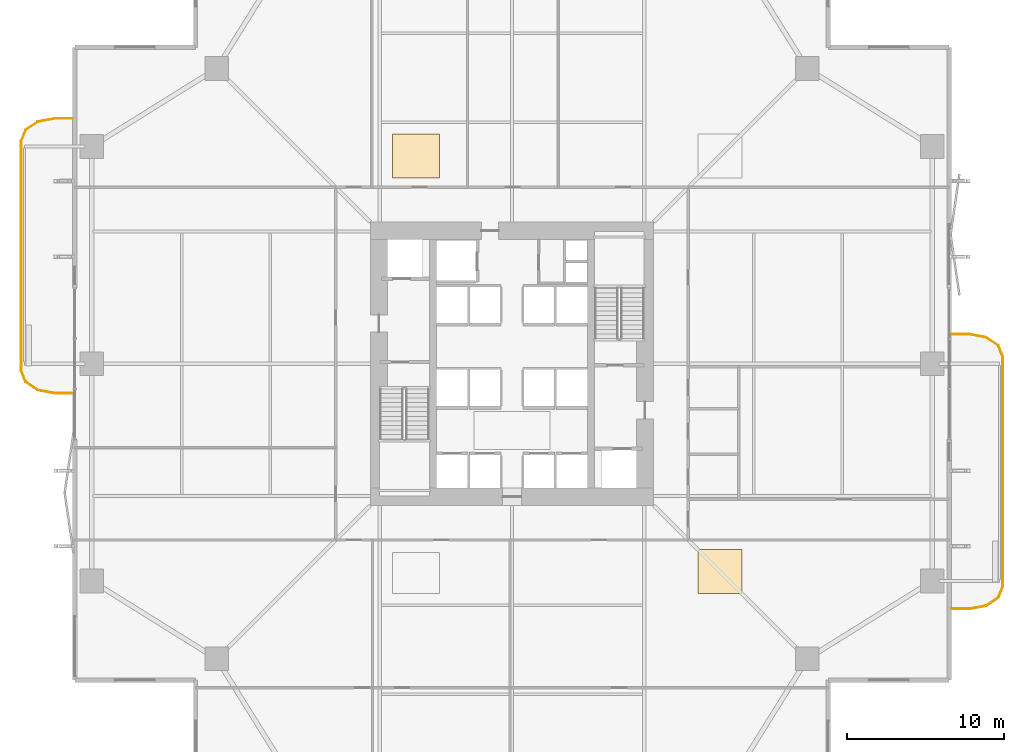
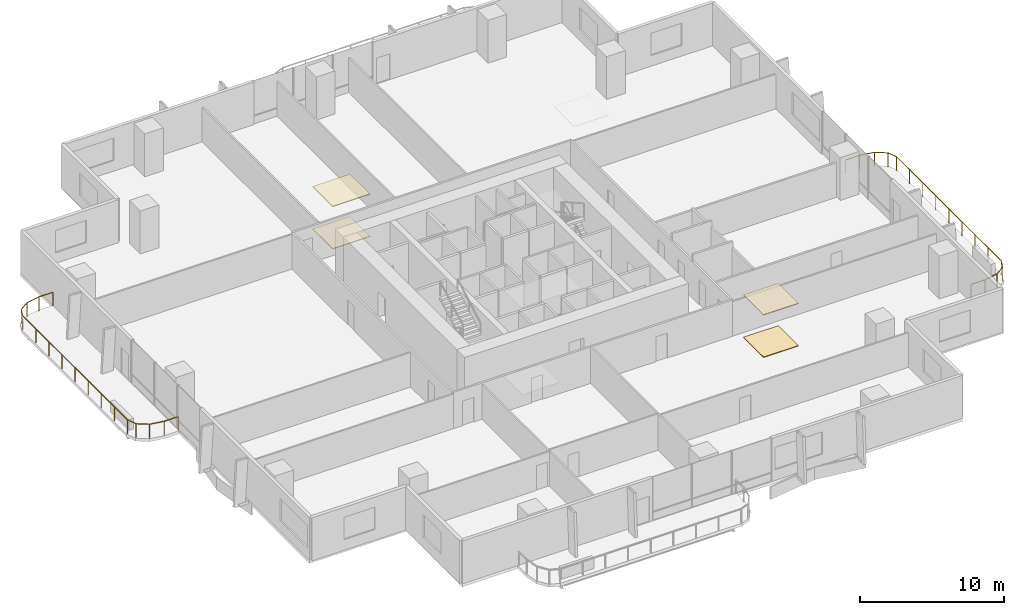
# One storey, part 22 of 23: 4 coverings, 2 railings.
"""IFC4 building model written with IfcOpenShell, lengths in metres."""

import ifcopenshell
import ifcopenshell.guid

model = None  # the IFC model being written
_history = None  # IfcOwnerHistory: only IFC2X3 demands one
_inside = {}  # id of a spatial element -> (the spatial element, [elements in it])
_under = {}  # id of a project, library or spatial element -> (it, [spatial elements below it])
_declared = {}  # id of a project -> (the project, [libraries it declares])
_typed = {}  # id of a type object -> (the type object, [elements of that type])
_made_of = {}  # id of a material, layer set ... -> (it, [elements and type objects made of it])


def new_model(schema):
    """Start an empty IFC model of exactly this schema.

    Asked for "IFC4X3", IfcOpenShell would pick the latest addendum, in which some entities
    have other attributes; the version numbers below select the first issue.
    IFC2X3 requires an IfcOwnerHistory on every rooted entity: one is made here for all.
    """
    global model, _history
    if schema == "IFC4X3":
        model = ifcopenshell.file(schema_version=(4, 3, 0, 0))
    else:
        model = ifcopenshell.file(schema=schema)
    _inside.clear()
    _under.clear()
    _declared.clear()
    _typed.clear()
    _made_of.clear()
    _history = None
    if model.schema == "IFC2X3":
        org = make("IfcOrganization", Name="unknown")
        user = make(
            "IfcPersonAndOrganization",
            ThePerson=make("IfcPerson", FamilyName="unknown"),
            TheOrganization=org,
        )
        app = make(
            "IfcApplication",
            ApplicationDeveloper=org,
            Version="unknown",
            ApplicationFullName="unknown",
            ApplicationIdentifier="unknown",
        )
        _history = make(
            "IfcOwnerHistory",
            OwningUser=user,
            OwningApplication=app,
            ChangeAction="ADDED",
            CreationDate=0,
        )
    return model


def make(cls, **values):
    """One entity of the class cls with the attributes given. An attribute that is None is left unset."""
    return model.create_entity(
        cls, **{name: value for name, value in values.items() if value is not None}
    )


def rooted(cls, **values):
    """An entity with a GlobalId (a new one), such as an element, a storey or a relation."""
    return make(cls, GlobalId=ifcopenshell.guid.new(), OwnerHistory=_history, **values)


def si_unit(unit_type, name, prefix=None):
    """IfcSIUnit, for example si_unit("LENGTHUNIT", "METRE", prefix="MILLI")."""
    return make("IfcSIUnit", UnitType=unit_type, Prefix=prefix, Name=name)


def assignment(units):
    """IfcUnitAssignment: the units of a project."""
    return None if units is None else make("IfcUnitAssignment", Units=units)


def point(xyz):
    """IfcCartesianPoint."""
    return None if xyz is None else make("IfcCartesianPoint", Coordinates=xyz)


def direction(xyz):
    """IfcDirection."""
    return None if xyz is None else make("IfcDirection", DirectionRatios=xyz)


def frame(location, z_axis=None, x_axis=None):
    """IfcAxis2Placement3D, a coordinate frame: its origin and axes. An axis left out is left unset."""
    return make(
        "IfcAxis2Placement3D",
        Location=point(location),
        Axis=direction(z_axis),
        RefDirection=direction(x_axis),
    )


def frame_2d(location, x_axis=None):
    """IfcAxis2Placement2D, a coordinate frame in the plane: its origin and x axis."""
    return make(
        "IfcAxis2Placement2D", Location=point(location), RefDirection=direction(x_axis)
    )


def origin():
    """The frame at (0, 0, 0) with its axes left unset."""
    return frame((0.0, 0.0, 0.0))


def origin_2d():
    """The frame at (0, 0) in the plane with its x axis left unset."""
    return frame_2d((0.0, 0.0))


def place(relative_to, where):
    """IfcLocalPlacement: puts the frame where relative to a parent placement (None: the world)."""
    return make(
        "IfcLocalPlacement", PlacementRelTo=relative_to, RelativePlacement=where
    )


def context(
    kind, dimensions, precision=None, world=None, true_north=None, identifier=None
):
    """IfcGeometricRepresentationContext, for example the 3D "Model" context."""
    return make(
        "IfcGeometricRepresentationContext",
        ContextIdentifier=identifier,
        ContextType=kind,
        CoordinateSpaceDimension=dimensions,
        Precision=precision,
        WorldCoordinateSystem=world,
        TrueNorth=true_north,
    )


def subcontext(parent, identifier, kind, view, scale=None):
    """IfcGeometricRepresentationSubContext, for example "Body" below "Model"."""
    return make(
        "IfcGeometricRepresentationSubContext",
        ContextIdentifier=identifier,
        ContextType=kind,
        ParentContext=parent,
        TargetScale=scale,
        TargetView=view,
    )


def project(units=None, contexts=None):
    """IfcProject with its units and contexts."""
    return rooted(
        "IfcProject",
        Name="project",
        RepresentationContexts=contexts,
        UnitsInContext=assignment(units),
    )


def spatial(cls, under=None, at=None, **own):
    """A site, building, storey or space (cls), placed at a placement, below another one or the project."""
    s = rooted(cls, ObjectPlacement=at, **own)
    if under is not None:
        _under.setdefault(under.id(), (under, []))[1].append(s)
    return s


def polyline(points):
    """IfcPolyline through the points."""
    return make("IfcPolyline", Points=[point(p) for p in points])


def profile(cls, at=None, kind="AREA", **sizes):
    """A parametric profile (cls). Its sizes go by their IFC names, for example OverallWidth=200.0."""
    return make(cls, ProfileType=kind, Position=at, **sizes)


def rectangle(**sizes):
    """IfcRectangleProfileDef."""
    return profile("IfcRectangleProfileDef", **sizes)


def outline(outer, holes=None, kind="AREA"):
    """IfcArbitraryClosedProfileDef: a profile drawn as a closed curve; with holes, ...WithVoids."""
    if holes is None:
        return make("IfcArbitraryClosedProfileDef", ProfileType=kind, OuterCurve=outer)
    return make(
        "IfcArbitraryProfileDefWithVoids",
        ProfileType=kind,
        OuterCurve=outer,
        InnerCurves=holes,
    )


def extrude(swept, where, along, depth):
    """IfcExtrudedAreaSolid: the profile swept, set in the frame where, extruded along a direction by depth."""
    return make(
        "IfcExtrudedAreaSolid",
        SweptArea=swept,
        Position=where,
        ExtrudedDirection=direction(along),
        Depth=depth,
    )


def shape(context_of_items, identifier, shape_type, items):
    """IfcShapeRepresentation: the items that make up one representation, for example the "Body"."""
    return make(
        "IfcShapeRepresentation",
        ContextOfItems=context_of_items,
        RepresentationIdentifier=identifier,
        RepresentationType=shape_type,
        Items=items,
    )


def material(Name=None, Category=None):
    """IfcMaterial."""
    return make("IfcMaterial", Name=Name, Category=Category)


def layer(
    of_material, thickness, ventilated=None, Name=None, Category=None, Priority=None
):
    """IfcMaterialLayer: one layer of a wall or slab, of a material (None: an air gap)."""
    return make(
        "IfcMaterialLayer",
        Material=of_material,
        LayerThickness=thickness,
        IsVentilated=ventilated,
        Name=Name,
        Category=Category,
        Priority=Priority,
    )


def layer_set(layers, Name=None):
    """IfcMaterialLayerSet."""
    return make("IfcMaterialLayerSet", MaterialLayers=layers, LayerSetName=Name)


def made_of(thing, what):
    """Note that an element or type object is made of a material, layer set ...; save() writes the relation."""
    if what is not None:
        _made_of.setdefault(what.id(), (what, []))[1].append(thing)
    return thing


def type_object(cls, material=None, **own):
    """A type object (cls), such as IfcWallType, which elements share."""
    return made_of(rooted(cls, **own), material)


def element(
    cls,
    number,
    at=None,
    inside=None,
    cuts=None,
    type_object=None,
    material=None,
    context=None,
    identifier="Body",
    shape_type=None,
    held_by="IfcProductDefinitionShape",
    body=None,
    shapes=None,
    **own,
):
    """One element of the class cls, such as IfcWall. Its Tag is "e" and its number.

    at: its placement. inside: the storey or other place that contains it. cuts: it is an
    opening in that element (IfcRelVoidsElement). A single representation is given by context,
    identifier, shape_type and body (its items); several are given by shapes. held_by: the class
    of the entity that holds the representations. save() writes the other relations.
    """
    e = rooted(cls, Tag="e%d" % number, ObjectPlacement=at, **own)
    if body is not None:
        shapes = [shape(context, identifier, shape_type, body)]
    if shapes is not None:
        e.Representation = make(held_by, Representations=shapes)
    if inside is not None:
        _inside.setdefault(inside.id(), (inside, []))[1].append(e)
    if cuts is not None:
        rooted(
            "IfcRelVoidsElement", RelatingBuildingElement=cuts, RelatedOpeningElement=e
        )
    if type_object is not None:
        _typed.setdefault(type_object.id(), (type_object, []))[1].append(e)
    return made_of(e, material)


def aggregate(whole, parts):
    """IfcRelAggregates: a whole, such as a stair, and the parts it consists of."""
    return rooted("IfcRelAggregates", RelatingObject=whole, RelatedObjects=parts)


def save(model, path):
    """Write the relations noted so far, then the file.

    IfcRelAggregates (storeys below a building ...), IfcRelContainedInSpatialStructure (elements
    in a storey), IfcRelDefinesByType, IfcRelAssociatesMaterial and IfcRelDeclares: one each for
    every whole, place, type object, material and project.
    """
    for whole, parts in _under.values():
        aggregate(whole, parts)
    for where, things in _inside.values():
        rooted(
            "IfcRelContainedInSpatialStructure",
            RelatedElements=things,
            RelatingStructure=where,
        )
    for kind, things in _typed.values():
        rooted("IfcRelDefinesByType", RelatedObjects=things, RelatingType=kind)
    for what, things in _made_of.values():
        rooted("IfcRelAssociatesMaterial", RelatedObjects=things, RelatingMaterial=what)
    for by, libraries in _declared.values():
        rooted("IfcRelDeclares", RelatingContext=by, RelatedDefinitions=libraries)
    model.write(path)


model = new_model("IFC4")

# Units and contexts
model_context = context("Model", 3, precision=1e-05, world=origin(), true_north=direction((0.0, 1.0)))
body_context = subcontext(model_context, "Body", "Model", "MODEL_VIEW")
ifc_project = project(units=[si_unit("LENGTHUNIT", "METRE"), si_unit("AREAUNIT", "SQUARE_METRE"), si_unit("VOLUMEUNIT", "CUBIC_METRE"), si_unit("PLANEANGLEUNIT", "RADIAN"), si_unit("MASSUNIT", "GRAM", prefix="KILO")], contexts=[model_context])

# Site, building, storey
site_placement = place(None, origin())
site = spatial("IfcSite", under=ifc_project, at=site_placement, CompositionType="ELEMENT")
building_placement = place(site_placement, origin())
building = spatial("IfcBuilding", under=site, at=building_placement, Name="Belovzor Exchange Tower", CompositionType="ELEMENT")
storey_placement = place(building_placement, frame((0.0, 0.0, 88.5)))
storey = spatial("IfcBuildingStorey", under=building, at=storey_placement, Name="L21", CompositionType="ELEMENT", Elevation=88.5)

# Railings
ifc_material_1 = material(Name="Stainless Steel and Laminated Safety Glass", Category="steel")
railing_type = type_object("IfcRailingType", Name="Laminated Glass & Stainless Steel Balcony Balustrade 1200", PredefinedType="BALUSTRADE", material=ifc_material_1)
railing_1_placement = place(storey_placement, frame((56.7099609375, 13.22998046875, 0.0)))
element("IfcRailing", 1, at=railing_1_placement, inside=storey, type_object=railing_type, Name="GR-1 Balcony Balustrade L21 East", PredefinedType="BALUSTRADE", context=body_context, shape_type="SweptSolid", body=[
    extrude(rectangle(XDim=0.048095703125, YDim=0.048095703125, at=origin_2d()), frame((0.0, 0.0, 1.17578125), z_axis=(1.0, 0.0, 0.0), x_axis=(0.0, 1.0, 0.0)), (0.0, 0.0, 1.0), 1.133056640625),
    extrude(rectangle(XDim=0.048095703125, YDim=0.048095703125, at=origin_2d()), frame((1.133056640625, 0.0, 1.17578125), z_axis=(0.983644145941, 0.180122719713, 0.0), x_axis=(-0.180122719713, 0.983644145941, 0.0)), (0.0, 0.0, 1.0), 1.09375),
    extrude(rectangle(XDim=0.048095703125, YDim=0.048095703125, at=origin_2d()), frame((2.208984375, 0.197021484375, 1.17578125), z_axis=(0.826614792125, 0.562768145367, 0.0), x_axis=(-0.562768145367, 0.826614792125, 0.0)), (0.0, 0.0, 1.0), 0.9326171875),
    extrude(rectangle(XDim=0.048095703125, YDim=0.048095703125, at=origin_2d()), frame((2.97998046875, 0.721923828125, 1.17578125), z_axis=(0.365504480807, 0.930809580156, 0.0), x_axis=(-0.930809580156, 0.365504480807, 0.0)), (0.0, 0.0, 1.0), 0.76611328125),
    extrude(rectangle(XDim=0.048095703125, YDim=0.048095703125, at=origin_2d()), frame((3.260009765625, 1.43505859375, 1.17578125), z_axis=(0.0, 1.0, 0.0), x_axis=(-1.0, 0.0, 0.0)), (0.0, 0.0, 1.0), 14.570068359375),
    extrude(rectangle(XDim=0.048095703125, YDim=0.048095703125, at=origin_2d()), frame((3.260009765625, 16.005126953125, 1.17578125), z_axis=(-0.365612923861, 0.930766990125, 0.0), x_axis=(-0.930766990125, -0.365612923861, 0.0)), (0.0, 0.0, 1.0), 0.765869140625),
    extrude(rectangle(XDim=0.048095703125, YDim=0.048095703125, at=origin_2d()), frame((2.97998046875, 16.718017578125, 1.17578125), z_axis=(-0.826614792125, 0.562768145367, 0.0), x_axis=(-0.562768145367, -0.826614792125, 0.0)), (0.0, 0.0, 1.0), 0.9326171875),
    extrude(rectangle(XDim=0.048095703125, YDim=0.048095703125, at=origin_2d()), frame((2.208984375, 17.242919921875, 1.17578125), z_axis=(-0.983644145941, 0.180122719713, 0.0), x_axis=(-0.180122719713, -0.983644145941, 0.0)), (0.0, 0.0, 1.0), 1.09375),
    extrude(rectangle(XDim=0.048095703125, YDim=0.048095703125, at=origin_2d()), frame((1.133056640625, 17.43994140625, 1.17578125), z_axis=(-1.0, 0.0, 0.0), x_axis=(0.0, -1.0, 0.0)), (0.0, 0.0, 1.0), 1.133056640625),
    extrude(rectangle(XDim=0.0419921875, YDim=0.0419921875, at=origin_2d()), origin(), (0.0, 0.0, 1.0), 1.15185546875),
    extrude(rectangle(XDim=0.0419921875, YDim=0.0419921875, at=origin_2d()), frame((1.133056640625, 0.0, 0.0)), (0.0, 0.0, 1.0), 1.15185546875),
    extrude(rectangle(XDim=0.0419921875, YDim=0.0419921875, at=origin_2d()), frame((2.208984375, 0.197021484375, 0.0)), (0.0, 0.0, 1.0), 1.15185546875),
    extrude(rectangle(XDim=0.0419921875, YDim=0.0419921875, at=origin_2d()), frame((2.97998046875, 0.721923828125, 0.0)), (0.0, 0.0, 1.0), 1.15185546875),
    extrude(rectangle(XDim=0.0419921875, YDim=0.0419921875, at=origin_2d()), frame((3.260009765625, 1.43505859375, 0.0)), (0.0, 0.0, 1.0), 1.15185546875),
    extrude(rectangle(XDim=0.0419921875, YDim=0.0419921875, at=origin_2d()), frame((3.260009765625, 3.25634765625, 0.0)), (0.0, 0.0, 1.0), 1.15185546875),
    extrude(rectangle(XDim=0.0419921875, YDim=0.0419921875, at=origin_2d()), frame((3.260009765625, 5.07763671875, 0.0)), (0.0, 0.0, 1.0), 1.15185546875),
    extrude(rectangle(XDim=0.0419921875, YDim=0.0419921875, at=origin_2d()), frame((3.260009765625, 6.89892578125, 0.0)), (0.0, 0.0, 1.0), 1.15185546875),
    extrude(rectangle(XDim=0.0419921875, YDim=0.0419921875, at=origin_2d()), frame((3.260009765625, 8.72021484375, 0.0)), (0.0, 0.0, 1.0), 1.15185546875),
    extrude(rectangle(XDim=0.0419921875, YDim=0.0419921875, at=origin_2d()), frame((3.260009765625, 10.541259765625, 0.0)), (0.0, 0.0, 1.0), 1.15185546875),
    extrude(rectangle(XDim=0.0419921875, YDim=0.0419921875, at=origin_2d()), frame((3.260009765625, 12.362548828125, 0.0)), (0.0, 0.0, 1.0), 1.15185546875),
    extrude(rectangle(XDim=0.0419921875, YDim=0.0419921875, at=origin_2d()), frame((3.260009765625, 14.183837890625, 0.0)), (0.0, 0.0, 1.0), 1.15185546875),
    extrude(rectangle(XDim=0.0419921875, YDim=0.0419921875, at=origin_2d()), frame((3.260009765625, 16.005126953125, 0.0)), (0.0, 0.0, 1.0), 1.15185546875),
    extrude(rectangle(XDim=0.0419921875, YDim=0.0419921875, at=origin_2d()), frame((2.97998046875, 16.718017578125, 0.0)), (0.0, 0.0, 1.0), 1.15185546875),
    extrude(rectangle(XDim=0.0419921875, YDim=0.0419921875, at=origin_2d()), frame((2.208984375, 17.242919921875, 0.0)), (0.0, 0.0, 1.0), 1.15185546875),
    extrude(rectangle(XDim=0.0419921875, YDim=0.0419921875, at=origin_2d()), frame((1.133056640625, 17.43994140625, 0.0)), (0.0, 0.0, 1.0), 1.15185546875),
    extrude(rectangle(XDim=0.0419921875, YDim=0.0419921875, at=origin_2d()), frame((0.0, 17.43994140625, 0.0)), (0.0, 0.0, 1.0), 1.15185546875),
])
railing_2_placement = place(storey_placement, frame((0.889892578125, 44.3701171875, 0.0)))
element("IfcRailing", 2, at=railing_2_placement, inside=storey, type_object=railing_type, Name="GR-1 Balcony Balustrade L21 West", PredefinedType="BALUSTRADE", context=body_context, shape_type="SweptSolid", body=[
    extrude(rectangle(XDim=0.048095703125, YDim=0.048095703125, at=origin_2d()), frame((0.0, 0.0, 1.17578125), z_axis=(-1.0, 0.0, 0.0), x_axis=(0.0, -1.0, 0.0)), (0.0, 0.0, 1.0), 1.1328125),
    extrude(rectangle(XDim=0.048095703125, YDim=0.048095703125, at=origin_2d()), frame((-1.1328125, 0.0, 1.17578125), z_axis=(-0.983651385113, -0.180083182347, 0.0), x_axis=(0.180083182347, -0.983651385113, 0.0)), (0.0, 0.0, 1.0), 1.093994140625),
    extrude(rectangle(XDim=0.048095703125, YDim=0.048095703125, at=origin_2d()), frame((-2.208984375, -0.197021484375, 1.17578125), z_axis=(-0.826493025367, -0.56294695933, 0.0), x_axis=(0.56294695933, -0.826493025367, 0.0)), (0.0, 0.0, 1.0), 0.932861328125),
    extrude(rectangle(XDim=0.048095703125, YDim=0.048095703125, at=origin_2d()), frame((-2.97998046875, -0.72216796875, 1.17578125), z_axis=(-0.365612923861, -0.930766990125, 0.0), x_axis=(0.930766990125, -0.365612923861, 0.0)), (0.0, 0.0, 1.0), 0.765869140625),
    extrude(rectangle(XDim=0.048095703125, YDim=0.048095703125, at=origin_2d()), frame((-3.260009765625, -1.43505859375, 1.17578125), z_axis=(0.0, -1.0, 0.0), x_axis=(1.0, 0.0, 0.0)), (0.0, 0.0, 1.0), 14.570068359375),
    extrude(rectangle(XDim=0.048095703125, YDim=0.048095703125, at=origin_2d()), frame((-3.260009765625, -16.005126953125, 1.17578125), z_axis=(0.365612923861, -0.930766990125, 0.0), x_axis=(0.930766990125, 0.365612923861, 0.0)), (0.0, 0.0, 1.0), 0.765869140625),
    extrude(rectangle(XDim=0.048095703125, YDim=0.048095703125, at=origin_2d()), frame((-2.97998046875, -16.718017578125, 1.17578125), z_axis=(0.826493025367, -0.56294695933, 0.0), x_axis=(0.56294695933, 0.826493025367, 0.0)), (0.0, 0.0, 1.0), 0.932861328125),
    extrude(rectangle(XDim=0.048095703125, YDim=0.048095703125, at=origin_2d()), frame((-2.208984375, -17.2431640625, 1.17578125), z_axis=(0.983651385113, -0.180083182347, 0.0), x_axis=(0.180083182347, 0.983651385113, 0.0)), (0.0, 0.0, 1.0), 1.093994140625),
    extrude(rectangle(XDim=0.048095703125, YDim=0.048095703125, at=origin_2d()), frame((-1.1328125, -17.440185546875, 1.17578125), z_axis=(1.0, 0.0, 0.0), x_axis=(0.0, 1.0, 0.0)), (0.0, 0.0, 1.0), 1.1328125),
    extrude(rectangle(XDim=0.0419921875, YDim=0.0419921875, at=origin_2d()), origin(), (0.0, 0.0, 1.0), 1.15185546875),
    extrude(rectangle(XDim=0.0419921875, YDim=0.0419921875, at=origin_2d()), frame((-1.1328125, 0.0, 0.0)), (0.0, 0.0, 1.0), 1.15185546875),
    extrude(rectangle(XDim=0.0419921875, YDim=0.0419921875, at=origin_2d()), frame((-2.208984375, -0.197021484375, 0.0)), (0.0, 0.0, 1.0), 1.15185546875),
    extrude(rectangle(XDim=0.0419921875, YDim=0.0419921875, at=origin_2d()), frame((-2.97998046875, -0.72216796875, 0.0)), (0.0, 0.0, 1.0), 1.15185546875),
    extrude(rectangle(XDim=0.0419921875, YDim=0.0419921875, at=origin_2d()), frame((-3.260009765625, -1.43505859375, 0.0)), (0.0, 0.0, 1.0), 1.15185546875),
    extrude(rectangle(XDim=0.0419921875, YDim=0.0419921875, at=origin_2d()), frame((-3.260009765625, -3.25634765625, 0.0)), (0.0, 0.0, 1.0), 1.15185546875),
    extrude(rectangle(XDim=0.0419921875, YDim=0.0419921875, at=origin_2d()), frame((-3.260009765625, -5.07763671875, 0.0)), (0.0, 0.0, 1.0), 1.15185546875),
    extrude(rectangle(XDim=0.0419921875, YDim=0.0419921875, at=origin_2d()), frame((-3.260009765625, -6.89892578125, 0.0)), (0.0, 0.0, 1.0), 1.15185546875),
    extrude(rectangle(XDim=0.0419921875, YDim=0.0419921875, at=origin_2d()), frame((-3.260009765625, -8.72021484375, 0.0)), (0.0, 0.0, 1.0), 1.15185546875),
    extrude(rectangle(XDim=0.0419921875, YDim=0.0419921875, at=origin_2d()), frame((-3.260009765625, -10.541259765625, 0.0)), (0.0, 0.0, 1.0), 1.15185546875),
    extrude(rectangle(XDim=0.0419921875, YDim=0.0419921875, at=origin_2d()), frame((-3.260009765625, -12.362548828125, 0.0)), (0.0, 0.0, 1.0), 1.15185546875),
    extrude(rectangle(XDim=0.0419921875, YDim=0.0419921875, at=origin_2d()), frame((-3.260009765625, -14.183837890625, 0.0)), (0.0, 0.0, 1.0), 1.15185546875),
    extrude(rectangle(XDim=0.0419921875, YDim=0.0419921875, at=origin_2d()), frame((-3.260009765625, -16.005126953125, 0.0)), (0.0, 0.0, 1.0), 1.15185546875),
    extrude(rectangle(XDim=0.0419921875, YDim=0.0419921875, at=origin_2d()), frame((-2.97998046875, -16.718017578125, 0.0)), (0.0, 0.0, 1.0), 1.15185546875),
    extrude(rectangle(XDim=0.0419921875, YDim=0.0419921875, at=origin_2d()), frame((-2.208984375, -17.2431640625, 0.0)), (0.0, 0.0, 1.0), 1.15185546875),
    extrude(rectangle(XDim=0.0419921875, YDim=0.0419921875, at=origin_2d()), frame((-1.1328125, -17.440185546875, 0.0)), (0.0, 0.0, 1.0), 1.15185546875),
    extrude(rectangle(XDim=0.0419921875, YDim=0.0419921875, at=origin_2d()), frame((0.0, -17.440185546875, 0.0)), (0.0, 0.0, 1.0), 1.15185546875),
])

# Coverings
ifc_material_2 = material(Name="Perforated Powder-Coated Aluminium", Category="aluminium")
ifc_layer_1 = layer(ifc_material_2, 0.06005859375)
ifc_layer_set_1 = layer_set([ifc_layer_1], Name="Perforated Powder-Coated Aluminium")
covering_type_1 = type_object("IfcCoveringType", Name="Perforated Acoustic Metal Tile Suspended Ceiling 60", PredefinedType="CEILING", material=ifc_layer_set_1)
covering_1_placement = place(storey_placement, frame((0.0, 0.0, 3.590087890625)))
element("IfcCovering", 3, at=covering_1_placement, inside=storey, type_object=covering_type_1, Name="CLG-AC60 Suspended Ceiling CLG-L21-Z1", PredefinedType="CEILING", context=body_context, shape_type="SweptSolid", body=[
    extrude(outline(polyline([(40.60009765625, 14.199951171875), (43.39990234375, 14.199951171875), (43.39990234375, 17.0), (40.60009765625, 17.0), (40.60009765625, 14.199951171875)])), origin(), (0.0, 0.0, 1.0), 0.059814453125),
])
covering_2_placement = place(storey_placement, frame((0.0, 0.0, 3.590087890625)))
element("IfcCovering", 4, at=covering_2_placement, inside=storey, type_object=covering_type_1, Name="CLG-AC60 Suspended Ceiling CLG-L21-Z3", PredefinedType="CEILING", context=body_context, shape_type="SweptSolid", body=[
    extrude(outline(polyline([(21.199951171875, 40.60009765625), (24.199951171875, 40.60009765625), (24.199951171875, 43.39990234375), (21.199951171875, 43.39990234375), (21.199951171875, 40.60009765625)])), origin(), (0.0, 0.0, 1.0), 0.059814453125),
])
ifc_material_3 = material(Name="Polished Natural Granite Tile", Category="masonry")
ifc_layer_2 = layer(ifc_material_3, 0.050048828125)
ifc_layer_set_2 = layer_set([ifc_layer_2], Name="Polished Natural Granite Tile")
covering_type_2 = type_object("IfcCoveringType", Name="Polished Karelian Granite & Raised Access Floor Finish 50", PredefinedType="FLOORING", material=ifc_layer_set_2)
covering_3_placement = place(storey_placement, origin())
element("IfcCovering", 5, at=covering_3_placement, inside=storey, type_object=covering_type_2, Name="FLR-GR50 Floor Finish FLR-L21-Z1", PredefinedType="FLOORING", context=body_context, shape_type="SweptSolid", body=[
    extrude(outline(polyline([(40.60009765625, 14.199951171875), (43.39990234375, 14.199951171875), (43.39990234375, 17.0), (40.60009765625, 17.0), (40.60009765625, 14.199951171875)])), origin(), (0.0, 0.0, 1.0), 0.050048828125),
])
covering_4_placement = place(storey_placement, origin())
element("IfcCovering", 6, at=covering_4_placement, inside=storey, type_object=covering_type_2, Name="FLR-GR50 Floor Finish FLR-L21-Z3", PredefinedType="FLOORING", context=body_context, shape_type="SweptSolid", body=[
    extrude(outline(polyline([(21.199951171875, 40.60009765625), (24.199951171875, 40.60009765625), (24.199951171875, 43.39990234375), (21.199951171875, 43.39990234375), (21.199951171875, 40.60009765625)])), origin(), (0.0, 0.0, 1.0), 0.050048828125),
])

save(model, "model.ifc")
